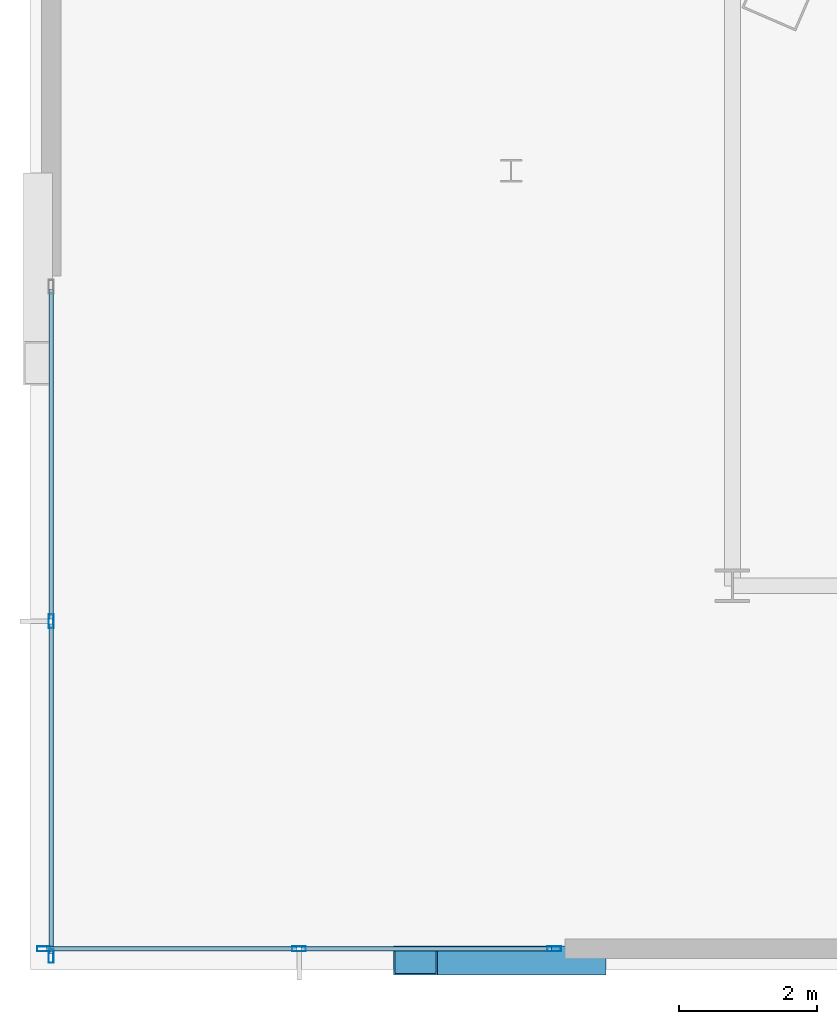
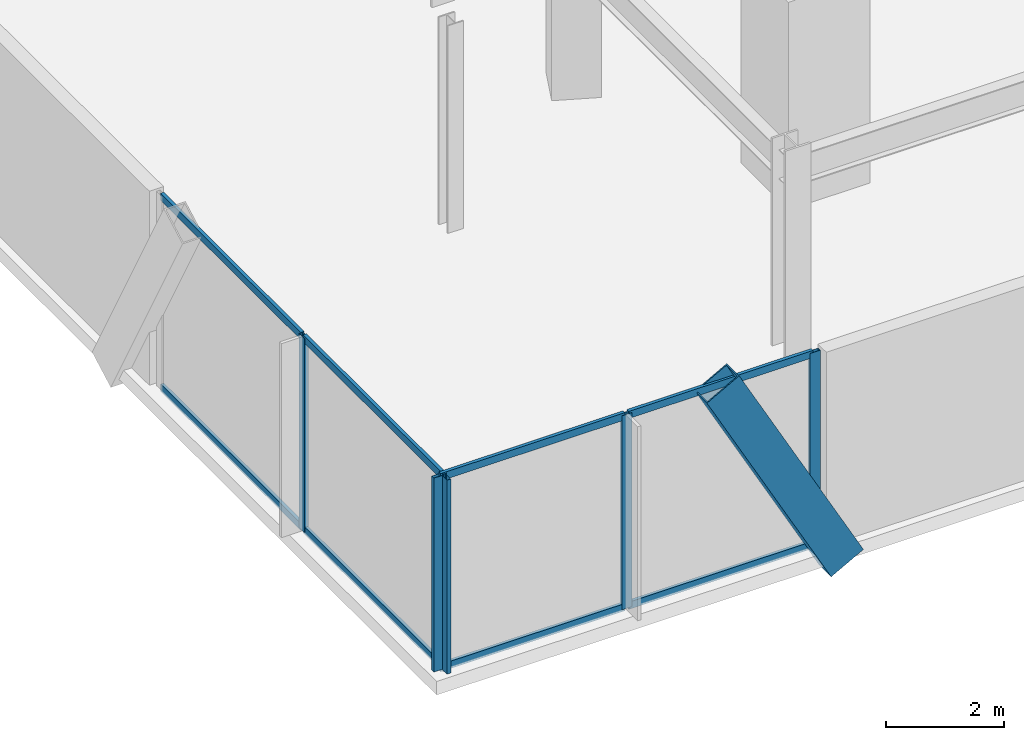
# One storey, part 5 of 42: 14 members, 2 elements without a shape of their own.
"""IFC4 building model written with IfcOpenShell, lengths in metres."""

from ifc_helpers import new_model, si_unit, direction, frame, origin, origin_2d, place, context, subcontext, project, spatial, hollow_rectangle, extrude, material, layer, layer_set, material_profile, profile_set, type_object, element, aggregate, save


model = new_model("IFC4")

# Units and contexts
model_context = context("Model", 3, precision=1e-05, world=origin(), true_north=direction((0.0, 1.0)))
body_context = subcontext(model_context, "Body", "Model", "MODEL_VIEW")
ifc_project = project(units=[si_unit("LENGTHUNIT", "METRE"), si_unit("AREAUNIT", "SQUARE_METRE"), si_unit("VOLUMEUNIT", "CUBIC_METRE"), si_unit("PLANEANGLEUNIT", "RADIAN"), si_unit("MASSUNIT", "GRAM", prefix="KILO")], contexts=[model_context])

# Site, building, storey
site_placement = place(None, origin())
site = spatial("IfcSite", under=ifc_project, at=site_placement, CompositionType="ELEMENT")
building_placement = place(site_placement, origin())
building = spatial("IfcBuilding", under=site, at=building_placement, Name="Orvanel Arch Residences", CompositionType="ELEMENT")
storey_placement = place(building_placement, frame((0.0, 0.0, 5.5)))
storey = spatial("IfcBuildingStorey", under=building, at=storey_placement, Name="L01", CompositionType="ELEMENT", Elevation=5.5)

# Member
ifc_material_1 = material(Name="Structural steel AS/NZS 3678 Grade 350", Category="steel")
ifc_material_profile_1 = material_profile(ifc_material_1, hollow_rectangle(XDim=0.419921875, YDim=0.719970703125, WallThickness=0.02490234375, at=origin_2d()), Name="RHS720x420x25")
ifc_profile_set_1 = profile_set([ifc_material_profile_1], Name="Structural steel AS/NZS 3678 Grade 350")
member_type_1 = type_object("IfcMemberType", Name="BR-720RHS-EXT", PredefinedType="BRACE", material=ifc_profile_set_1)
member_1_placement = place(storey_placement, frame((9.25390625, 0.580078125, -0.300048828125), z_axis=(-0.480001631101, 0.0, 0.877267595515), x_axis=(0.0, -1.0, 0.0)))
element("IfcMember", 1, at=member_1_placement, inside=storey, type_object=member_type_1, Name="L01 Podium Multi-Storey V-Strut Pair SW Leg 1", PredefinedType="BRACE", context=body_context, shape_type="SweptSolid", body=[
    extrude(hollow_rectangle(XDim=0.419921875, YDim=0.719970703125, WallThickness=0.02490234375, at=origin_2d()), origin(), (0.0, 0.0, 1.0), 5.072509765625),
])

# Curtain wall, members
ifc_material_2 = material(Name="Bronze-anodised aluminium AA6063-T6", Category="aluminium")
ifc_layer = layer(ifc_material_2, 0.199951171875)
ifc_layer_set = layer_set([ifc_layer], Name="Bronze-anodised aluminium AA6063-T6")
curtain_wall_type = type_object("IfcCurtainWallType", Name="CW1-POD-SYS", PredefinedType="NOTDEFINED", material=ifc_layer_set)
curtain_wall_1_placement = place(storey_placement, origin())
curtain_wall_1 = element("IfcCurtainWall", 2, at=curtain_wall_1_placement, inside=storey, type_object=curtain_wall_type, Name="L01 CW1-POD-SYS Unitised Curtain Wall", PredefinedType="NOTDEFINED")
ifc_material_profile_2 = material_profile(ifc_material_2, hollow_rectangle(XDim=0.074951171875, YDim=0.199951171875, WallThickness=0.0048828125, at=origin_2d()), Name="ALU200x75x5")
ifc_profile_set_2 = profile_set([ifc_material_profile_2], Name="Bronze-anodised aluminium AA6063-T6")
member_type_2 = type_object("IfcMemberType", Name="MUL-200x75", PredefinedType="MULLION", material=ifc_profile_set_2)
member_2_placement = place(storey_placement, frame((1.447509765625, 0.75, 0.0), z_axis=(0.0, 0.0, 1.0), x_axis=(0.0, 1.0, 0.0)))
member_2 = element("IfcMember", 3, at=member_2_placement, type_object=member_type_2, Name="CW-S1 mullion 1", PredefinedType="MULLION", context=body_context, shape_type="SweptSolid", body=[
    extrude(hollow_rectangle(XDim=0.074951171875, YDim=0.199951171875, WallThickness=0.0048828125, at=origin_2d()), origin(), (0.0, 0.0, 1.0), 4.02001953125),
])
member_3_placement = place(storey_placement, frame((5.135009765625, 0.75, 0.0), z_axis=(0.0, 0.0, 1.0), x_axis=(0.0, 1.0, 0.0)))
member_3 = element("IfcMember", 4, at=member_3_placement, type_object=member_type_2, Name="CW-S1 mullion 2", PredefinedType="MULLION", context=body_context, shape_type="SweptSolid", body=[
    extrude(hollow_rectangle(XDim=0.074951171875, YDim=0.199951171875, WallThickness=0.0048828125, at=origin_2d()), origin(), (0.0, 0.0, 1.0), 4.02001953125),
])
member_4_placement = place(storey_placement, frame((8.822509765625, 0.75, 0.0), z_axis=(0.0, 0.0, 1.0), x_axis=(0.0, 1.0, 0.0)))
member_4 = element("IfcMember", 5, at=member_4_placement, type_object=member_type_2, Name="CW-S1 mullion 3", PredefinedType="MULLION", context=body_context, shape_type="SweptSolid", body=[
    extrude(hollow_rectangle(XDim=0.074951171875, YDim=0.199951171875, WallThickness=0.0048828125, at=origin_2d()), origin(), (0.0, 0.0, 1.0), 4.02001953125),
])

curtain_wall_2_placement = place(storey_placement, origin())
curtain_wall_2 = element("IfcCurtainWall", 6, at=curtain_wall_2_placement, inside=storey, type_object=curtain_wall_type, Name="L01 CW1-POD-SYS Unitised Curtain Wall", PredefinedType="NOTDEFINED")
member_5_placement = place(storey_placement, frame((1.550048828125, 5.485107421875, 0.0), z_axis=(0.0, 0.0, 1.0), x_axis=(1.0, 0.0, 0.0)))
member_5 = element("IfcMember", 7, at=member_5_placement, type_object=member_type_2, Name="CW-S1 mullion 2", PredefinedType="MULLION", context=body_context, shape_type="SweptSolid", body=[
    extrude(hollow_rectangle(XDim=0.074951171875, YDim=0.199951171875, WallThickness=0.0048828125, at=origin_2d()), origin(), (0.0, 0.0, 1.0), 4.02001953125),
])
member_6_placement = place(storey_placement, frame((1.550048828125, 0.6474609375, 0.0), z_axis=(0.0, 0.0, 1.0), x_axis=(1.0, 0.0, 0.0)))
member_6 = element("IfcMember", 8, at=member_6_placement, type_object=member_type_2, Name="CW-S1 mullion 3", PredefinedType="MULLION", context=body_context, shape_type="SweptSolid", body=[
    extrude(hollow_rectangle(XDim=0.074951171875, YDim=0.199951171875, WallThickness=0.0048828125, at=origin_2d()), origin(), (0.0, 0.0, 1.0), 4.02001953125),
])

# Member
ifc_material_profile_3 = material_profile(ifc_material_2, hollow_rectangle(XDim=0.06494140625, YDim=0.14990234375, WallThickness=0.00390625, at=origin_2d()), Name="ALU150x65x4")
ifc_profile_set_3 = profile_set([ifc_material_profile_3], Name="Bronze-anodised aluminium AA6063-T6")
member_type_3 = type_object("IfcMemberType", Name="TRN-150x65", PredefinedType="USERDEFINED", material=ifc_profile_set_3)
member_7_placement = place(storey_placement, frame((1.485107421875, 0.75, 0.032470703125), z_axis=(1.0, 0.0, 0.0), x_axis=(0.0, 1.0, 0.0)))
member_7 = element("IfcMember", 9, at=member_7_placement, type_object=member_type_3, Name="CW-S1 transom 1.1", ObjectType="TRANSOM", PredefinedType="USERDEFINED", context=body_context, shape_type="SweptSolid", body=[
    extrude(hollow_rectangle(XDim=0.06494140625, YDim=0.14990234375, WallThickness=0.00390625, at=origin_2d()), origin(), (0.0, 0.0, 1.0), 3.6123046875),
])

member_8_placement = place(storey_placement, frame((1.485107421875, 0.75, 3.987548828125), z_axis=(1.0, 0.0, 0.0), x_axis=(0.0, 1.0, 0.0)))
member_8 = element("IfcMember", 10, at=member_8_placement, type_object=member_type_3, Name="CW-S1 transom 1.2", ObjectType="TRANSOM", PredefinedType="USERDEFINED", context=body_context, shape_type="SweptSolid", body=[
    extrude(hollow_rectangle(XDim=0.06494140625, YDim=0.14990234375, WallThickness=0.00390625, at=origin_2d()), origin(), (0.0, 0.0, 1.0), 3.6123046875),
])

member_9_placement = place(storey_placement, frame((5.172607421875, 0.75, 0.032470703125), z_axis=(1.0, 0.0, 0.0), x_axis=(0.0, 1.0, 0.0)))
member_9 = element("IfcMember", 11, at=member_9_placement, type_object=member_type_3, Name="CW-S1 transom 2.1", ObjectType="TRANSOM", PredefinedType="USERDEFINED", context=body_context, shape_type="SweptSolid", body=[
    extrude(hollow_rectangle(XDim=0.06494140625, YDim=0.14990234375, WallThickness=0.00390625, at=origin_2d()), origin(), (0.0, 0.0, 1.0), 3.6123046875),
])

member_10_placement = place(storey_placement, frame((5.172607421875, 0.75, 3.987548828125), z_axis=(1.0, 0.0, 0.0), x_axis=(0.0, 1.0, 0.0)))
member_10 = element("IfcMember", 12, at=member_10_placement, type_object=member_type_3, Name="CW-S1 transom 2.2", ObjectType="TRANSOM", PredefinedType="USERDEFINED", context=body_context, shape_type="SweptSolid", body=[
    extrude(hollow_rectangle(XDim=0.06494140625, YDim=0.14990234375, WallThickness=0.00390625, at=origin_2d()), origin(), (0.0, 0.0, 1.0), 3.6123046875),
])

aggregate(curtain_wall_1, [member_2, member_3, member_4, member_7, member_8, member_9, member_10])

member_11_placement = place(storey_placement, frame((1.550048828125, 10.284912109375, 0.032470703125), z_axis=(0.0, -1.0, 0.0), x_axis=(1.0, 0.0, 0.0)))
member_11 = element("IfcMember", 13, at=member_11_placement, type_object=member_type_3, Name="CW-S1 transom 1.1", ObjectType="TRANSOM", PredefinedType="USERDEFINED", context=body_context, shape_type="SweptSolid", body=[
    extrude(hollow_rectangle(XDim=0.06494140625, YDim=0.14990234375, WallThickness=0.00390625, at=origin_2d()), origin(), (0.0, 0.0, 1.0), 4.762451171875),
])

member_12_placement = place(storey_placement, frame((1.550048828125, 10.284912109375, 3.987548828125), z_axis=(0.0, -1.0, 0.0), x_axis=(1.0, 0.0, 0.0)))
member_12 = element("IfcMember", 14, at=member_12_placement, type_object=member_type_3, Name="CW-S1 transom 1.2", ObjectType="TRANSOM", PredefinedType="USERDEFINED", context=body_context, shape_type="SweptSolid", body=[
    extrude(hollow_rectangle(XDim=0.06494140625, YDim=0.14990234375, WallThickness=0.00390625, at=origin_2d()), origin(), (0.0, 0.0, 1.0), 4.762451171875),
])

member_13_placement = place(storey_placement, frame((1.550048828125, 5.447509765625, 0.032470703125), z_axis=(0.0, -1.0, 0.0), x_axis=(1.0, 0.0, 0.0)))
member_13 = element("IfcMember", 15, at=member_13_placement, type_object=member_type_3, Name="CW-S1 transom 2.1", ObjectType="TRANSOM", PredefinedType="USERDEFINED", context=body_context, shape_type="SweptSolid", body=[
    extrude(hollow_rectangle(XDim=0.06494140625, YDim=0.14990234375, WallThickness=0.00390625, at=origin_2d()), origin(), (0.0, 0.0, 1.0), 4.762451171875),
])

member_14_placement = place(storey_placement, frame((1.550048828125, 5.447509765625, 3.987548828125), z_axis=(0.0, -1.0, 0.0), x_axis=(1.0, 0.0, 0.0)))
member_14 = element("IfcMember", 16, at=member_14_placement, type_object=member_type_3, Name="CW-S1 transom 2.2", ObjectType="TRANSOM", PredefinedType="USERDEFINED", context=body_context, shape_type="SweptSolid", body=[
    extrude(hollow_rectangle(XDim=0.06494140625, YDim=0.14990234375, WallThickness=0.00390625, at=origin_2d()), origin(), (0.0, 0.0, 1.0), 4.762451171875),
])

aggregate(curtain_wall_2, [member_5, member_6, member_11, member_12, member_13, member_14])

save(model, "model.ifc")
